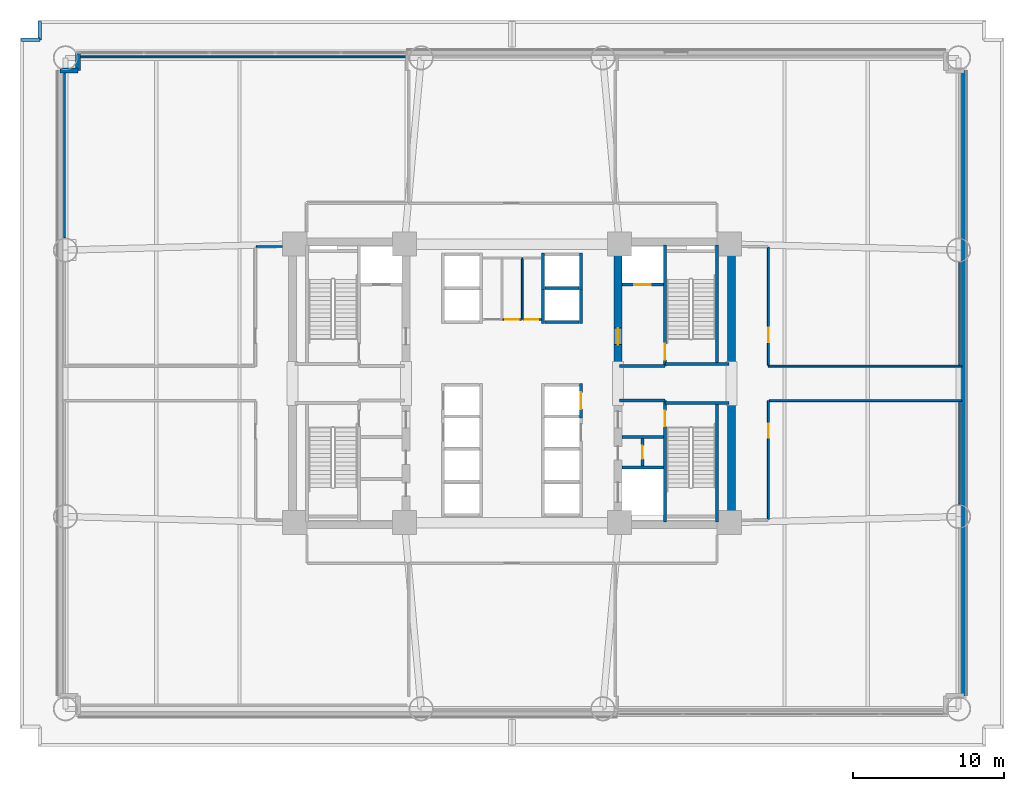
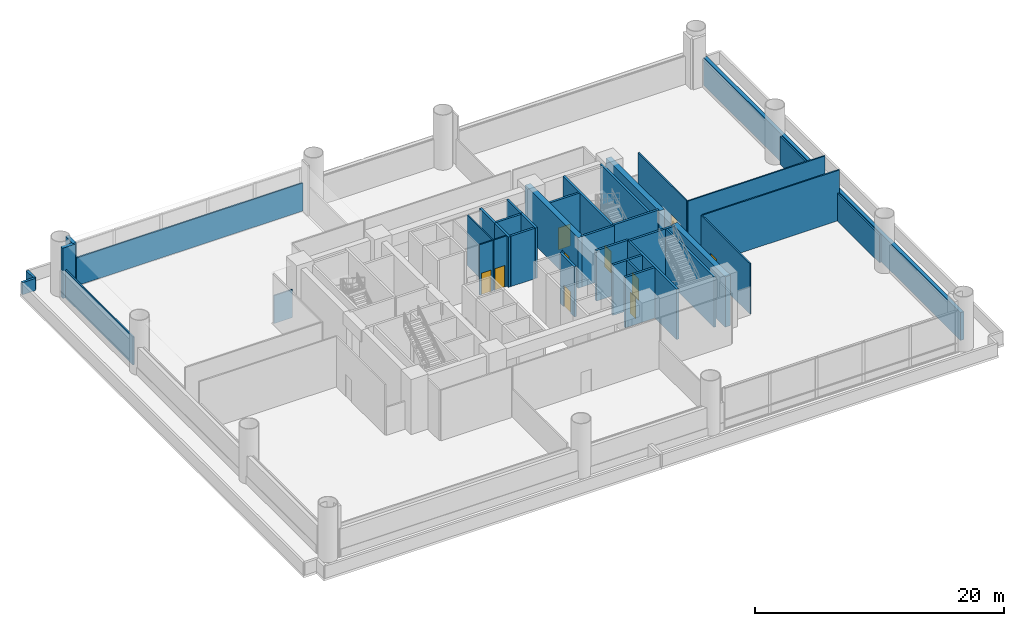
# One storey, part 7 of 12: 39 walls, 10 doors, 10 openings.
"""IFC4 building model written with IfcOpenShell, lengths in metres."""

from ifc_helpers import new_model, si_unit, direction, frame, frame_2d, origin, place, context, subcontext, project, spatial, rectangle, extrude, source, transform, mapped, material, layer, layer_set, type_object, element, fill, save


model = new_model("IFC4")

# Units and contexts
model_context = context("Model", 3, precision=1e-05, world=origin(), true_north=direction((0.0, 1.0)))
body_context = subcontext(model_context, "Body", "Model", "MODEL_VIEW")
ifc_project = project(units=[si_unit("LENGTHUNIT", "METRE"), si_unit("AREAUNIT", "SQUARE_METRE"), si_unit("VOLUMEUNIT", "CUBIC_METRE"), si_unit("PLANEANGLEUNIT", "RADIAN"), si_unit("MASSUNIT", "GRAM", prefix="KILO")], contexts=[model_context])

# Site, building, storey
site_placement = place(None, origin())
site = spatial("IfcSite", under=ifc_project, at=site_placement, CompositionType="ELEMENT")
building_placement = place(site_placement, origin())
building = spatial("IfcBuilding", under=site, at=building_placement, Name="Zahravan Cultural Tower", CompositionType="ELEMENT")
storey_placement = place(building_placement, frame((0.0, 0.0, 18.0)))
storey = spatial("IfcBuildingStorey", under=building, at=storey_placement, Name="L03", CompositionType="ELEMENT", Elevation=18.0)

# Wall, opening, door
ifc_material_1 = material(Name="Concrete C60/75", Category="concrete")
ifc_layer_1 = layer(ifc_material_1, 0.5)
ifc_layer_set_1 = layer_set([ifc_layer_1], Name="Concrete C60/75")
wall_type_1 = type_object("IfcWallType", Name="CW-SHEAR-500-C60", PredefinedType="SHEAR", material=ifc_layer_set_1)
wall_1_placement = place(storey_placement, frame((43.0, 28.050048828125, 0.0), z_axis=(0.0, 0.0, 1.0), x_axis=(0.0, 1.0, 0.0)))
wall_1 = element("IfcWall", 1, at=wall_1_placement, inside=storey, type_object=wall_type_1, Name="L03 Core Shear Wall CW-E-WN-L03", PredefinedType="SHEAR", context=body_context, shape_type="SweptSolid", body=[
    extrude(rectangle(XDim=8.550048828125, YDim=0.5, at=frame_2d((4.27490234375, 0.0))), origin(), (0.0, 0.0, 1.0), 4.949951171875),
])
opening_1_placement = place(wall_1_placement, frame((1.5, 0.0, 0.0)))
opening_1 = element("IfcOpeningElement", 2, at=opening_1_placement, cuts=wall_1, Name="Opening D-L03-06", PredefinedType="OPENING", context=body_context, shape_type="SweptSolid", body=[
    extrude(rectangle(XDim=1.10009765625, YDim=2.199951171875, at=frame_2d((0.550048828125, 1.10009765625))), frame((0.0, 0.260009765625, 0.0), z_axis=(0.0, -1.0, 0.0), x_axis=(1.0, 0.0, 0.0)), (0.0, 0.0, 1.0), 0.52001953125),
])
ifc_material_2 = material(Name="Steel ASTM A572 Grade 50", Category="steel")
door_type_1 = type_object("IfcDoorType", Name="DR-LOBBY-1100", OperationType="NOTDEFINED", PredefinedType="DOOR", material=ifc_material_2)
shared_shape_1 = source(origin(), body_context, "Body", "SweptSolid", [
    extrude(rectangle(XDim=1.10009765625, YDim=2.199951171875, at=frame_2d((0.550048828125, 1.10009765625))), frame((0.0, 0.02490234375, 0.0), z_axis=(0.0, -1.0, 0.0), x_axis=(1.0, 0.0, 0.0)), (0.0, 0.0, 1.0), 0.050048828125),
])
door_1_placement = place(opening_1_placement, origin())
door_1 = element("IfcDoor", 3, at=door_1_placement, inside=storey, type_object=door_type_1, Name="L03 Door D-L03-06", OperationType="SINGLE_SWING_RIGHT", OverallHeight=2.199951171875, OverallWidth=1.10009765625, PredefinedType="DOOR", context=body_context, shape_type="MappedRepresentation", body=[
    mapped(shared_shape_1, transform((0.0, 0.0, 0.0), x_axis=(1.0, 0.0, 0.0), y_axis=(0.0, 1.0, 0.0), z_axis=(0.0, 0.0, 1.0), scale=1.0)),
])
fill(opening_1, door_1)

ifc_material_3 = material(Name="Gypsum plasterboard partition")
ifc_layer_2 = layer(ifc_material_3, 0.179931640625)
ifc_layer_set_2 = layer_set([ifc_layer_2], Name="Gypsum plasterboard partition")
wall_type_2 = type_object("IfcWallType", Name="W-COMP-180", PredefinedType="PARTITIONING", material=ifc_layer_set_2)
wall_2_placement = place(storey_placement, frame((44.6201171875, 21.550048828125, 0.0), z_axis=(0.0, 0.0, 1.0), x_axis=(0.0, 1.0, 0.0)))
wall_2 = element("IfcWall", 4, at=wall_2_placement, inside=storey, type_object=wall_type_2, Name="L03 Interior Wall 027", PredefinedType="PARTITIONING", context=body_context, shape_type="SweptSolid", body=[
    extrude(rectangle(XDim=1.800048828125, YDim=0.179931640625, at=frame_2d((0.89990234375, 0.0))), origin(), (0.0, 0.0, 1.0), 4.949951171875),
])
opening_2_placement = place(wall_2_placement, frame((0.4599609375, 0.0, 0.0)))
opening_2 = element("IfcOpeningElement", 5, at=opening_2_placement, cuts=wall_2, Name="Opening D-L03-12", PredefinedType="OPENING", context=body_context, shape_type="SweptSolid", body=[
    extrude(rectangle(XDim=0.8798828125, YDim=2.10009765625, at=frame_2d((0.43994140625, 1.050048828125))), frame((0.0, 0.099853515625, 0.0), z_axis=(0.0, -1.0, 0.0), x_axis=(1.0, 0.0, 0.0)), (0.0, 0.0, 1.0), 0.199951171875),
])
door_type_2 = type_object("IfcDoorType", Name="DR-SVC-880", OperationType="NOTDEFINED", PredefinedType="DOOR", material=ifc_material_2)
shared_shape_2 = source(origin(), body_context, "Body", "SweptSolid", [
    extrude(rectangle(XDim=0.8798828125, YDim=2.10009765625, at=frame_2d((0.43994140625, 1.050048828125))), frame((0.0, 0.02490234375, 0.0), z_axis=(0.0, -1.0, 0.0), x_axis=(1.0, 0.0, 0.0)), (0.0, 0.0, 1.0), 0.050048828125),
])
door_2_placement = place(opening_2_placement, origin())
door_2 = element("IfcDoor", 6, at=door_2_placement, inside=storey, type_object=door_type_2, Name="L03 Door D-L03-12", OperationType="SINGLE_SWING_RIGHT", OverallHeight=2.10009765625, OverallWidth=0.8798828125, PredefinedType="DOOR", context=body_context, shape_type="MappedRepresentation", body=[
    mapped(shared_shape_2, transform((0.0, 0.0, 0.0), x_axis=(1.0, 0.0, 0.0), y_axis=(0.0, 1.0, 0.0), z_axis=(0.0, 0.0, 1.0), scale=1.0)),
])
fill(opening_2, door_2)

ifc_layer_3 = layer(ifc_material_3, 0.125)
ifc_layer_set_3 = layer_set([ifc_layer_3], Name="Gypsum plasterboard partition")
wall_type_3 = type_object("IfcWallType", Name="W-PART-125", PredefinedType="PARTITIONING", material=ifc_layer_set_3)
wall_3_placement = place(storey_placement, frame((52.93994140625, 18.00732421875, 0.0), z_axis=(0.0, 0.0, 1.0), x_axis=(0.0, 1.0, 0.0)))
wall_3 = element("IfcWall", 7, at=wall_3_placement, inside=storey, type_object=wall_type_3, Name="L03 Interior Wall 106", PredefinedType="PARTITIONING", context=body_context, shape_type="SweptSolid", body=[
    extrude(rectangle(XDim=7.852783203125, YDim=0.125, at=frame_2d((3.92626953125, 0.0))), origin(), (0.0, 0.0, 1.0), 4.949951171875),
])
opening_3_placement = place(wall_3_placement, frame((5.384033203125, 0.0, 0.0)))
opening_3 = element("IfcOpeningElement", 8, at=opening_3_placement, cuts=wall_3, Name="Opening D-L03-18", PredefinedType="OPENING", context=body_context, shape_type="SweptSolid", body=[
    extrude(rectangle(XDim=0.949951171875, YDim=2.14990234375, at=frame_2d((0.47509765625, 1.074951171875))), frame((0.0, 0.072509765625, 0.0), z_axis=(0.0, -1.0, 0.0), x_axis=(1.0, 0.0, 0.0)), (0.0, 0.0, 1.0), 0.14501953125),
])
ifc_material_4 = material(Name="Anodised bronze-aluminium mullion", Category="aluminium")
door_type_3 = type_object("IfcDoorType", Name="DR-ROOM-950", OperationType="NOTDEFINED", PredefinedType="DOOR", material=ifc_material_4)
shared_shape_3 = source(origin(), body_context, "Body", "SweptSolid", [
    extrude(rectangle(XDim=0.949951171875, YDim=2.14990234375, at=frame_2d((0.47509765625, 1.074951171875))), frame((0.0, 0.02490234375, 0.0), z_axis=(0.0, -1.0, 0.0), x_axis=(1.0, 0.0, 0.0)), (0.0, 0.0, 1.0), 0.050048828125),
])
door_3_placement = place(opening_3_placement, origin())
door_3 = element("IfcDoor", 9, at=door_3_placement, inside=storey, type_object=door_type_3, Name="L03 Door D-L03-18", OperationType="SINGLE_SWING_RIGHT", OverallHeight=2.14990234375, OverallWidth=0.949951171875, PredefinedType="DOOR", context=body_context, shape_type="MappedRepresentation", body=[
    mapped(shared_shape_3, transform((0.0, 0.0, 0.0), x_axis=(1.0, 0.0, 0.0), y_axis=(0.0, 1.0, 0.0), z_axis=(0.0, 0.0, 1.0), scale=1.0)),
])
fill(opening_3, door_3)

wall_4_placement = place(storey_placement, frame((52.93994140625, 28.20751953125, 0.0), z_axis=(0.0, 0.0, 1.0), x_axis=(0.0, 1.0, 0.0)))
wall_4 = element("IfcWall", 10, at=wall_4_placement, inside=storey, type_object=wall_type_3, Name="L03 Interior Wall 111", PredefinedType="PARTITIONING", context=body_context, shape_type="SweptSolid", body=[
    extrude(rectangle(XDim=7.78515625, YDim=0.125, at=frame_2d((3.892578125, 0.0))), origin(), (0.0, 0.0, 1.0), 4.949951171875),
])
opening_4_placement = place(wall_4_placement, frame((1.503662109375, 0.0, 0.0)))
opening_4 = element("IfcOpeningElement", 11, at=opening_4_placement, cuts=wall_4, Name="Opening D-L03-19", PredefinedType="OPENING", context=body_context, shape_type="SweptSolid", body=[
    extrude(rectangle(XDim=0.949951171875, YDim=2.14990234375, at=frame_2d((0.47509765625, 1.074951171875))), frame((0.0, 0.072509765625, 0.0), z_axis=(0.0, -1.0, 0.0), x_axis=(1.0, 0.0, 0.0)), (0.0, 0.0, 1.0), 0.14501953125),
])
door_4_placement = place(opening_4_placement, origin())
door_4 = element("IfcDoor", 12, at=door_4_placement, inside=storey, type_object=door_type_3, Name="L03 Door D-L03-19", OperationType="SINGLE_SWING_LEFT", OverallHeight=2.14990234375, OverallWidth=0.949951171875, PredefinedType="DOOR", context=body_context, shape_type="MappedRepresentation", body=[
    mapped(shared_shape_3, transform((0.0, 0.0, 0.0), x_axis=(1.0, 0.0, 0.0), y_axis=(0.0, 1.0, 0.0), z_axis=(0.0, 0.0, 1.0), scale=1.0)),
])
fill(opening_4, door_4)

ifc_material_5 = material(Name="Concrete C45/55", Category="concrete")
ifc_layer_4 = layer(ifc_material_5, 0.199951171875)
ifc_layer_set_4 = layer_set([ifc_layer_4], Name="Concrete C45/55")
wall_type_4 = type_object("IfcWallType", Name="W-SHAFT-200", PredefinedType="SOLIDWALL", material=ifc_layer_set_4)
wall_5_placement = place(storey_placement, frame((46.10009765625, 17.85009765625, 0.0), z_axis=(0.0, 0.0, 1.0), x_axis=(0.0, 1.0, 0.0)))
wall_5 = element("IfcWall", 13, at=wall_5_placement, inside=storey, type_object=wall_type_4, Name="L03 Interior Wall 007", PredefinedType="SOLIDWALL", context=body_context, shape_type="SweptSolid", body=[
    extrude(rectangle(XDim=8.0, YDim=0.199951171875, at=frame_2d((4.0, 0.0))), origin(), (0.0, 0.0, 1.0), 4.949951171875),
])
opening_5_placement = place(wall_5_placement, frame((6.300048828125, 0.0, 0.0)))
opening_5 = element("IfcOpeningElement", 14, at=opening_5_placement, cuts=wall_5, Name="Opening D-L03-03", PredefinedType="OPENING", context=body_context, shape_type="SweptSolid", body=[
    extrude(rectangle(XDim=1.050048828125, YDim=2.14990234375, at=frame_2d((0.52490234375, 1.074951171875))), frame((0.0, 0.10986328125, 0.0), z_axis=(0.0, -1.0, 0.0), x_axis=(1.0, 0.0, 0.0)), (0.0, 0.0, 1.0), 0.219970703125),
])
door_type_4 = type_object("IfcDoorType", Name="DR-STAIR-1050", OperationType="NOTDEFINED", PredefinedType="DOOR", material=ifc_material_2)
shared_shape_4 = source(origin(), body_context, "Body", "SweptSolid", [
    extrude(rectangle(XDim=1.050048828125, YDim=2.14990234375, at=frame_2d((0.52490234375, 1.074951171875))), frame((0.0, 0.02490234375, 0.0), z_axis=(0.0, -1.0, 0.0), x_axis=(1.0, 0.0, 0.0)), (0.0, 0.0, 1.0), 0.050048828125),
])
door_5_placement = place(opening_5_placement, origin())
door_5 = element("IfcDoor", 15, at=door_5_placement, inside=storey, type_object=door_type_4, Name="L03 Door D-L03-03", OperationType="SINGLE_SWING_LEFT", OverallHeight=2.14990234375, OverallWidth=1.050048828125, PredefinedType="DOOR", context=body_context, shape_type="MappedRepresentation", body=[
    mapped(shared_shape_4, transform((0.0, 0.0, 0.0), x_axis=(1.0, 0.0, 0.0), y_axis=(0.0, 1.0, 0.0), z_axis=(0.0, 0.0, 1.0), scale=1.0)),
])
fill(opening_5, door_5)

wall_6_placement = place(storey_placement, frame((46.10009765625, 28.14990234375, 0.0), z_axis=(0.0, 0.0, 1.0), x_axis=(0.0, 1.0, 0.0)))
wall_6 = element("IfcWall", 16, at=wall_6_placement, inside=storey, type_object=wall_type_4, Name="L03 Interior Wall 008", PredefinedType="SOLIDWALL", context=body_context, shape_type="SweptSolid", body=[
    extrude(rectangle(XDim=8.0, YDim=0.199951171875, at=frame_2d((4.0, 0.0))), origin(), (0.0, 0.0, 1.0), 4.949951171875),
])
opening_6_placement = place(wall_6_placement, frame((0.39990234375, 0.0, 0.0)))
opening_6 = element("IfcOpeningElement", 17, at=opening_6_placement, cuts=wall_6, Name="Opening D-L03-02", PredefinedType="OPENING", context=body_context, shape_type="SweptSolid", body=[
    extrude(rectangle(XDim=1.050048828125, YDim=2.14990234375, at=frame_2d((0.52490234375, 1.074951171875))), frame((0.0, 0.10986328125, 0.0), z_axis=(0.0, -1.0, 0.0), x_axis=(1.0, 0.0, 0.0)), (0.0, 0.0, 1.0), 0.219970703125),
])
door_6_placement = place(opening_6_placement, origin())
door_6 = element("IfcDoor", 18, at=door_6_placement, inside=storey, type_object=door_type_4, Name="L03 Door D-L03-02", OperationType="SINGLE_SWING_RIGHT", OverallHeight=2.14990234375, OverallWidth=1.050048828125, PredefinedType="DOOR", context=body_context, shape_type="MappedRepresentation", body=[
    mapped(shared_shape_4, transform((0.0, 0.0, 0.0), x_axis=(1.0, 0.0, 0.0), y_axis=(0.0, 1.0, 0.0), z_axis=(0.0, 0.0, 1.0), scale=1.0)),
])
fill(opening_6, door_6)

wall_7_placement = place(storey_placement, frame((43.25, 33.52001953125, 0.0), z_axis=(0.0, 0.0, 1.0), x_axis=(1.0, 0.0, 0.0)))
wall_7 = element("IfcWall", 19, at=wall_7_placement, inside=storey, type_object=wall_type_4, Name="L03 Interior Wall 022", PredefinedType="SOLIDWALL", context=body_context, shape_type="SweptSolid", body=[
    extrude(rectangle(XDim=2.75, YDim=0.199951171875, at=frame_2d((1.375, 0.0))), origin(), (0.0, 0.0, 1.0), 4.949951171875),
])
opening_7_placement = place(wall_7_placement, frame((0.820068359375, 0.0, 0.0)))
opening_7 = element("IfcOpeningElement", 20, at=opening_7_placement, cuts=wall_7, Name="Opening LD-L03-02", PredefinedType="OPENING", context=body_context, shape_type="SweptSolid", body=[
    extrude(rectangle(XDim=1.10009765625, YDim=2.14990234375, at=frame_2d((0.550048828125, 1.074951171875))), frame((0.0, 0.10986328125, 0.0), z_axis=(0.0, -1.0, 0.0), x_axis=(1.0, 0.0, 0.0)), (0.0, 0.0, 1.0), 0.219970703125),
])
door_type_5 = type_object("IfcDoorType", Name="DR-LIFT-1100", OperationType="DOUBLE_DOOR_SLIDING", PredefinedType="DOOR", material=ifc_material_2)
shared_shape_5 = source(origin(), body_context, "Body", "SweptSolid", [
    extrude(rectangle(XDim=1.10009765625, YDim=2.14990234375, at=frame_2d((0.550048828125, 1.074951171875))), frame((0.0, 0.02490234375, 0.0), z_axis=(0.0, -1.0, 0.0), x_axis=(1.0, 0.0, 0.0)), (0.0, 0.0, 1.0), 0.050048828125),
])
door_7_placement = place(opening_7_placement, origin())
door_7 = element("IfcDoor", 21, at=door_7_placement, inside=storey, type_object=door_type_5, Name="L03 Door LD-L03-02", OperationType="DOUBLE_DOOR_SLIDING", OverallHeight=2.14990234375, OverallWidth=1.10009765625, PredefinedType="DOOR", context=body_context, shape_type="MappedRepresentation", body=[
    mapped(shared_shape_5, transform((0.0, 0.0, 0.0), x_axis=(1.0, 0.0, 0.0), y_axis=(0.0, 1.0, 0.0), z_axis=(0.0, 0.0, 1.0), scale=1.0)),
])
fill(opening_7, door_7)

wall_8_placement = place(storey_placement, frame((40.550048828125, 24.699951171875, 0.0), z_axis=(0.0, 0.0, 1.0), x_axis=(0.0, 1.0, 0.0)))
wall_8 = element("IfcWall", 22, at=wall_8_placement, inside=storey, type_object=wall_type_4, Name="L03 Interior Wall 063", PredefinedType="SOLIDWALL", context=body_context, shape_type="SweptSolid", body=[
    extrude(rectangle(XDim=2.300048828125, YDim=0.199951171875, at=frame_2d((1.14990234375, 0.0))), origin(), (0.0, 0.0, 1.0), 4.949951171875),
])
opening_8_placement = place(wall_8_placement, frame((0.60009765625, 0.0, 0.0)))
opening_8 = element("IfcOpeningElement", 23, at=opening_8_placement, cuts=wall_8, Name="Opening LD-L03-06", PredefinedType="OPENING", context=body_context, shape_type="SweptSolid", body=[
    extrude(rectangle(XDim=1.10009765625, YDim=2.14990234375, at=frame_2d((0.550048828125, 1.074951171875))), frame((0.0, 0.10986328125, 0.0), z_axis=(0.0, -1.0, 0.0), x_axis=(1.0, 0.0, 0.0)), (0.0, 0.0, 1.0), 0.219970703125),
])
door_8_placement = place(opening_8_placement, origin())
door_8 = element("IfcDoor", 24, at=door_8_placement, inside=storey, type_object=door_type_5, Name="L03 Door LD-L03-06", OperationType="DOUBLE_DOOR_SLIDING", OverallHeight=2.14990234375, OverallWidth=1.10009765625, PredefinedType="DOOR", context=body_context, shape_type="MappedRepresentation", body=[
    mapped(shared_shape_5, transform((0.0, 0.0, 0.0), x_axis=(1.0, 0.0, 0.0), y_axis=(0.0, 1.0, 0.0), z_axis=(0.0, 0.0, 1.0), scale=1.0)),
])
fill(opening_8, door_8)

ifc_layer_5 = layer(ifc_material_3, 0.114990234375)
ifc_layer_set_5 = layer_set([ifc_layer_5], Name="Gypsum plasterboard partition")
wall_type_5 = type_object("IfcWallType", Name="W-WC-115", PredefinedType="PARTITIONING", material=ifc_layer_set_5)
wall_9_placement = place(storey_placement, frame((37.945068359375, 31.219970703125, 0.0), z_axis=(0.0, 0.0, 1.0), x_axis=(-1.0, 0.0, 0.0)))
wall_9 = element("IfcWall", 25, at=wall_9_placement, inside=storey, type_object=wall_type_5, Name="L03 Interior Wall 070", PredefinedType="PARTITIONING", context=body_context, shape_type="SweptSolid", body=[
    extrude(rectangle(XDim=1.20263671875, YDim=0.114990234375, at=frame_2d((0.601318359375, 0.0))), origin(), (0.0, 0.0, 1.0), 4.949951171875),
])
opening_9_placement = place(wall_9_placement, frame((0.19970703125, 0.0, 0.0)))
opening_9 = element("IfcOpeningElement", 26, at=opening_9_placement, cuts=wall_9, Name="Opening D-L03-15", PredefinedType="OPENING", context=body_context, shape_type="SweptSolid", body=[
    extrude(rectangle(XDim=0.89990234375, YDim=2.10009765625, at=frame_2d((0.449951171875, 1.050048828125))), frame((0.0, 0.0673828125, 0.0), z_axis=(0.0, -1.0, 0.0), x_axis=(1.0, 0.0, 0.0)), (0.0, 0.0, 1.0), 0.135009765625),
])
door_type_6 = type_object("IfcDoorType", Name="DR-WC-900", OperationType="NOTDEFINED", PredefinedType="DOOR", material=ifc_material_4)
shared_shape_6 = source(origin(), body_context, "Body", "SweptSolid", [
    extrude(rectangle(XDim=0.89990234375, YDim=2.10009765625, at=frame_2d((0.449951171875, 1.050048828125))), frame((0.0, 0.02490234375, 0.0), z_axis=(0.0, -1.0, 0.0), x_axis=(1.0, 0.0, 0.0)), (0.0, 0.0, 1.0), 0.050048828125),
])
door_9_placement = place(opening_9_placement, origin())
door_9 = element("IfcDoor", 27, at=door_9_placement, inside=storey, type_object=door_type_6, Name="L03 Door D-L03-15", OperationType="SINGLE_SWING_LEFT", OverallHeight=2.10009765625, OverallWidth=0.89990234375, PredefinedType="DOOR", context=body_context, shape_type="MappedRepresentation", body=[
    mapped(shared_shape_6, transform((0.0, 0.0, 0.0), x_axis=(1.0, 0.0, 0.0), y_axis=(0.0, 1.0, 0.0), z_axis=(0.0, 0.0, 1.0), scale=1.0)),
])
fill(opening_9, door_9)

wall_10_placement = place(storey_placement, frame((36.617431640625, 31.219970703125, 0.0), z_axis=(0.0, 0.0, 1.0), x_axis=(-1.0, 0.0, 0.0)))
wall_10 = element("IfcWall", 28, at=wall_10_placement, inside=storey, type_object=wall_type_5, Name="L03 Interior Wall 075", PredefinedType="PARTITIONING", context=body_context, shape_type="SweptSolid", body=[
    extrude(rectangle(XDim=1.21484375, YDim=0.114990234375, at=frame_2d((0.607421875, 0.0))), origin(), (0.0, 0.0, 1.0), 4.949951171875),
])
opening_10_placement = place(wall_10_placement, frame((0.157470703125, 0.0, 0.0)))
opening_10 = element("IfcOpeningElement", 29, at=opening_10_placement, cuts=wall_10, Name="Opening D-L03-14", PredefinedType="OPENING", context=body_context, shape_type="SweptSolid", body=[
    extrude(rectangle(XDim=0.89990234375, YDim=2.10009765625, at=frame_2d((0.449951171875, 1.050048828125))), frame((0.0, 0.0673828125, 0.0), z_axis=(0.0, -1.0, 0.0), x_axis=(1.0, 0.0, 0.0)), (0.0, 0.0, 1.0), 0.135009765625),
])
door_10_placement = place(opening_10_placement, origin())
door_10 = element("IfcDoor", 30, at=door_10_placement, inside=storey, type_object=door_type_6, Name="L03 Door D-L03-14", OperationType="SINGLE_SWING_RIGHT", OverallHeight=2.10009765625, OverallWidth=0.89990234375, PredefinedType="DOOR", context=body_context, shape_type="MappedRepresentation", body=[
    mapped(shared_shape_6, transform((0.0, 0.0, 0.0), x_axis=(1.0, 0.0, 0.0), y_axis=(0.0, 1.0, 0.0), z_axis=(0.0, 0.0, 1.0), scale=1.0)),
])
fill(opening_10, door_10)

# Walls
shared_shape_7 = source(origin(), body_context, "Body", "SweptSolid", [
    extrude(rectangle(XDim=8.550048828125, YDim=0.5, at=frame_2d((4.27490234375, 0.0))), origin(), (0.0, 0.0, 1.0), 4.949951171875),
])
for number, where, z_axis, x_axis, name in (
    (31, (50.5, 17.39990234375, 0.0), (0.0, 0.0, 1.0), (0.0, 1.0, 0.0), "L03 Core Shear Wall CW-E-ES-L03"),
    (32, (50.5, 28.050048828125, 0.0), (0.0, 0.0, 1.0), (0.0, 1.0, 0.0), "L03 Core Shear Wall CW-E-EN-L03"),
):
    element("IfcWall", number, at=place(storey_placement, frame(where, z_axis=z_axis, x_axis=x_axis)), inside=storey, type_object=wall_type_1, Name=name, PredefinedType="SHEAR", context=body_context, shape_type="MappedRepresentation", body=[
        mapped(shared_shape_7, transform((0.0, 0.0, 0.0), x_axis=(1.0, 0.0, 0.0), y_axis=(0.0, 1.0, 0.0), z_axis=(0.0, 0.0, 1.0), scale=1.0)),
    ])
ifc_material_6 = material(Name="Precast concrete C40/50", Category="concrete")
ifc_layer_6 = layer(ifc_material_6, 0.219970703125)
ifc_layer_set_6 = layer_set([ifc_layer_6], Name="Precast concrete C40/50")
wall_type_6 = type_object("IfcWallType", Name="EW-PARAPET-220", PredefinedType="PARAPET", material=ifc_layer_set_6)
shared_shape_8 = source(origin(), body_context, "Body", "SweptSolid", [
    extrude(rectangle(XDim=1.199951171875, YDim=0.219970703125, at=frame_2d((0.60009765625, 0.0))), origin(), (0.0, 0.0, 1.0), 1.199951171875),
])
for number, where, z_axis, x_axis, name in (
    (33, (3.610107421875, 49.68994140625, 0.0), (0.0, 0.0, 1.0), (1.0, 0.0, 0.0), "L03 Setback Roof Parapet 5"),
    (34, (4.81005859375, 49.68994140625, 0.0), (0.0, 0.0, 1.0), (0.0, 1.0, 0.0), "L03 Setback Roof Parapet 6"),
):
    element("IfcWall", number, at=place(storey_placement, frame(where, z_axis=z_axis, x_axis=x_axis)), inside=storey, type_object=wall_type_6, Name=name, PredefinedType="PARAPET", context=body_context, shape_type="MappedRepresentation", body=[
        mapped(shared_shape_8, transform((0.0, 0.0, 0.0), x_axis=(1.0, 0.0, 0.0), y_axis=(0.0, 1.0, 0.0), z_axis=(0.0, 0.0, 1.0), scale=1.0)),
    ])
ifc_layer_7 = layer(ifc_material_6, 0.320068359375)
ifc_layer_set_7 = layer_set([ifc_layer_7], Name="Precast concrete C40/50")
wall_type_7 = type_object("IfcWallType", Name="EW-TC-320", PredefinedType="SOLIDWALL", material=ifc_layer_set_7)
shared_shape_9 = source(origin(), body_context, "Body", "SweptSolid", [
    extrude(rectangle(XDim=41.31982421875, YDim=0.320068359375, at=frame_2d((20.659912109375, 0.0))), origin(), (0.0, 0.0, 1.0), 2.741943359375),
])
wall_11_placement = place(storey_placement, frame((65.860107421875, 47.659912109375, 0.0), z_axis=(0.0, 0.0, 1.0), x_axis=(0.0, -1.0, 0.0)))
element("IfcWall", 35, at=wall_11_placement, inside=storey, type_object=wall_type_7, Name="L03 Exterior Masonry Frame Wall 01", PredefinedType="SOLIDWALL", context=body_context, shape_type="MappedRepresentation", body=[
    mapped(shared_shape_9, transform((0.0, 0.0, 0.0), x_axis=(1.0, 0.0, 0.0), y_axis=(0.0, 1.0, 0.0), z_axis=(0.0, 0.0, 1.0), scale=1.0)),
])
shared_shape_10 = source(origin(), body_context, "Body", "SweptSolid", [
    extrude(rectangle(XDim=1.2001953125, YDim=0.320068359375, at=frame_2d((0.60009765625, 0.0))), origin(), (0.0, 0.0, 1.0), 4.949951171875),
])
for number, where, z_axis, x_axis, name in (
    (36, (6.139892578125, 47.659912109375, 0.0), (0.0, 0.0, 1.0), (1.0, 0.0, 0.0), "L03 Exterior Masonry Frame Wall 08"),
    (37, (7.340087890625, 47.659912109375, 0.0), (0.0, 0.0, 1.0), (0.0, 1.0, 0.0), "L03 Exterior Masonry Frame Wall 09"),
):
    element("IfcWall", number, at=place(storey_placement, frame(where, z_axis=z_axis, x_axis=x_axis)), inside=storey, type_object=wall_type_7, Name=name, PredefinedType="SOLIDWALL", context=body_context, shape_type="MappedRepresentation", body=[
        mapped(shared_shape_10, transform((0.0, 0.0, 0.0), x_axis=(1.0, 0.0, 0.0), y_axis=(0.0, 1.0, 0.0), z_axis=(0.0, 0.0, 1.0), scale=1.0)),
    ])
shared_shape_11 = source(origin(), body_context, "Body", "SweptSolid", [
    extrude(rectangle(XDim=7.869873046875, YDim=0.199951171875, at=frame_2d((3.93505859375, 0.0))), origin(), (0.0, 0.0, 1.0), 4.949951171875),
])
for number, where, z_axis, x_axis, name in (
    (38, (49.550048828125, 17.85009765625, 0.0), (0.0, 0.0, 1.0), (0.0, 1.0, 0.0), "L03 Interior Wall 003"),
    (39, (49.550048828125, 28.280029296875, 0.0), (0.0, 0.0, 1.0), (0.0, 1.0, 0.0), "L03 Interior Wall 004"),
):
    element("IfcWall", number, at=place(storey_placement, frame(where, z_axis=z_axis, x_axis=x_axis)), inside=storey, type_object=wall_type_4, Name=name, PredefinedType="SOLIDWALL", context=body_context, shape_type="MappedRepresentation", body=[
        mapped(shared_shape_11, transform((0.0, 0.0, 0.0), x_axis=(1.0, 0.0, 0.0), y_axis=(0.0, 1.0, 0.0), z_axis=(0.0, 0.0, 1.0), scale=1.0)),
    ])
shared_shape_12 = source(origin(), body_context, "Body", "SweptSolid", [
    extrude(rectangle(XDim=4.25, YDim=0.199951171875, at=frame_2d((2.125, 0.0))), origin(), (0.0, 0.0, 1.0), 4.949951171875),
])
for number, where, z_axis, x_axis, name in (
    (40, (46.10009765625, 25.715087890625, 0.0), (0.0, 0.0, 1.0), (1.0, 0.0, 0.0), "L03 Interior Wall 014"),
    (41, (46.10009765625, 28.284912109375, 0.0), (0.0, 0.0, 1.0), (1.0, 0.0, 0.0), "L03 Interior Wall 016"),
):
    element("IfcWall", number, at=place(storey_placement, frame(where, z_axis=z_axis, x_axis=x_axis)), inside=storey, type_object=wall_type_4, Name=name, PredefinedType="SOLIDWALL", context=body_context, shape_type="MappedRepresentation", body=[
        mapped(shared_shape_12, transform((0.0, 0.0, 0.0), x_axis=(1.0, 0.0, 0.0), y_axis=(0.0, 1.0, 0.0), z_axis=(0.0, 0.0, 1.0), scale=1.0)),
    ])
shared_shape_13 = source(origin(), body_context, "Body", "SweptSolid", [
    extrude(rectangle(XDim=3.0, YDim=0.199951171875, at=frame_2d((1.5, 0.0))), origin(), (0.0, 0.0, 1.0), 4.949951171875),
])
for number, where, z_axis, x_axis, name in (
    (42, (43.10009765625, 25.85009765625, 0.0), (0.0, 0.0, 1.0), (1.0, 0.0, 0.0), "L03 Interior Wall 013"),
    (43, (43.10009765625, 28.14990234375, 0.0), (0.0, 0.0, 1.0), (1.0, 0.0, 0.0), "L03 Interior Wall 015"),
):
    element("IfcWall", number, at=place(storey_placement, frame(where, z_axis=z_axis, x_axis=x_axis)), inside=storey, type_object=wall_type_4, Name=name, PredefinedType="SOLIDWALL", context=body_context, shape_type="MappedRepresentation", body=[
        mapped(shared_shape_13, transform((0.0, 0.0, 0.0), x_axis=(1.0, 0.0, 0.0), y_axis=(0.0, 1.0, 0.0), z_axis=(0.0, 0.0, 1.0), scale=1.0)),
    ])
shared_shape_14 = source(origin(), body_context, "Body", "SweptSolid", [
    extrude(rectangle(XDim=2.75, YDim=0.199951171875, at=frame_2d((1.375, 0.0))), origin(), (0.0, 0.0, 1.0), 4.949951171875),
])
for number, where, z_axis, x_axis, name in (
    (44, (43.25, 23.449951171875, 0.0), (0.0, 0.0, 1.0), (1.0, 0.0, 0.0), "L03 Interior Wall 024"),
    (45, (43.25, 21.449951171875, 0.0), (0.0, 0.0, 1.0), (1.0, 0.0, 0.0), "L03 Interior Wall 025"),
):
    element("IfcWall", number, at=place(storey_placement, frame(where, z_axis=z_axis, x_axis=x_axis)), inside=storey, type_object=wall_type_4, Name=name, PredefinedType="SOLIDWALL", context=body_context, shape_type="MappedRepresentation", body=[
        mapped(shared_shape_14, transform((0.0, 0.0, 0.0), x_axis=(1.0, 0.0, 0.0), y_axis=(0.0, 1.0, 0.0), z_axis=(0.0, 0.0, 1.0), scale=1.0)),
    ])
shared_shape_15 = source(origin(), body_context, "Body", "SweptSolid", [
    extrude(rectangle(XDim=2.400146484375, YDim=0.199951171875, at=frame_2d((1.2001953125, 0.0))), origin(), (0.0, 0.0, 1.0), 4.949951171875),
])
for number, where, z_axis, x_axis, name in (
    (46, (38.050048828125, 33.199951171875, 0.0), (0.0, 0.0, 1.0), (0.0, 1.0, 0.0), "L03 Interior Wall 035"),
    (47, (40.550048828125, 33.199951171875, 0.0), (0.0, 0.0, 1.0), (0.0, 1.0, 0.0), "L03 Interior Wall 036"),
    (48, (38.050048828125, 30.949951171875, 0.0), (0.0, 0.0, 1.0), (0.0, 1.0, 0.0), "L03 Interior Wall 039"),
    (49, (40.550048828125, 30.949951171875, 0.0), (0.0, 0.0, 1.0), (0.0, 1.0, 0.0), "L03 Interior Wall 040"),
):
    element("IfcWall", number, at=place(storey_placement, frame(where, z_axis=z_axis, x_axis=x_axis)), inside=storey, type_object=wall_type_4, Name=name, PredefinedType="SOLIDWALL", context=body_context, shape_type="MappedRepresentation", body=[
        mapped(shared_shape_15, transform((0.0, 0.0, 0.0), x_axis=(1.0, 0.0, 0.0), y_axis=(0.0, 1.0, 0.0), z_axis=(0.0, 0.0, 1.0), scale=1.0)),
    ])
shared_shape_16 = source(origin(), body_context, "Body", "SweptSolid", [
    extrude(rectangle(XDim=2.260009765625, YDim=0.199951171875, at=frame_2d((1.1298828125, 0.0))), origin(), (0.0, 0.0, 1.0), 4.949951171875),
])
for number, where, z_axis, x_axis, name in (
    (50, (38.169921875, 33.300048828125, 0.0), (0.0, 0.0, 1.0), (1.0, 0.0, 0.0), "L03 Interior Wall 037"),
    (51, (38.169921875, 31.050048828125, 0.0), (0.0, 0.0, 1.0), (1.0, 0.0, 0.0), "L03 Interior Wall 041"),
):
    element("IfcWall", number, at=place(storey_placement, frame(where, z_axis=z_axis, x_axis=x_axis)), inside=storey, type_object=wall_type_4, Name=name, PredefinedType="SOLIDWALL", context=body_context, shape_type="MappedRepresentation", body=[
        mapped(shared_shape_16, transform((0.0, 0.0, 0.0), x_axis=(1.0, 0.0, 0.0), y_axis=(0.0, 1.0, 0.0), z_axis=(0.0, 0.0, 1.0), scale=1.0)),
    ])
shared_shape_17 = source(origin(), body_context, "Body", "SweptSolid", [
    extrude(rectangle(XDim=4.06005859375, YDim=0.114990234375, at=frame_2d((2.030029296875, 0.0))), origin(), (0.0, 0.0, 1.0), 4.949951171875),
])
wall_12_placement = place(storey_placement, frame((36.679931640625, 31.219970703125, 0.0), z_axis=(0.0, 0.0, 1.0), x_axis=(0.0, 1.0, 0.0)))
element("IfcWall", 52, at=wall_12_placement, inside=storey, type_object=wall_type_5, Name="L03 Interior Wall 068", PredefinedType="PARTITIONING", context=body_context, shape_type="MappedRepresentation", body=[
    mapped(shared_shape_17, transform((0.0, 0.0, 0.0), x_axis=(1.0, 0.0, 0.0), y_axis=(0.0, 1.0, 0.0), z_axis=(0.0, 0.0, 1.0), scale=1.0)),
])
shared_shape_18 = source(origin(), body_context, "Body", "SweptSolid", [
    extrude(rectangle(XDim=10.875, YDim=0.125, at=frame_2d((5.4375, 0.0))), origin(), (0.0, 0.0, 1.0), 2.741943359375),
])
wall_13_placement = place(storey_placement, frame((6.43994140625, 36.6201171875, 0.0), z_axis=(0.0, 0.0, 1.0), x_axis=(0.0, 1.0, 0.0)))
element("IfcWall", 53, at=wall_13_placement, inside=storey, type_object=wall_type_3, Name="L03 Interior Wall 099", PredefinedType="PARTITIONING", context=body_context, shape_type="MappedRepresentation", body=[
    mapped(shared_shape_18, transform((0.0, 0.0, 0.0), x_axis=(1.0, 0.0, 0.0), y_axis=(0.0, 1.0, 0.0), z_axis=(0.0, 0.0, 1.0), scale=1.0)),
])
shared_shape_19 = source(origin(), body_context, "Body", "SweptSolid", [
    extrude(rectangle(XDim=1.72412109375, YDim=0.125, at=frame_2d((0.862060546875, 0.0))), origin(), (0.0, 0.0, 1.0), 2.741943359375),
])
wall_14_placement = place(storey_placement, frame((20.830078125, 36.0400390625, 0.0), z_axis=(0.0, 0.0, 1.0), x_axis=(-1.0, 0.0, 0.0)))
element("IfcWall", 54, at=wall_14_placement, inside=storey, type_object=wall_type_3, Name="L03 Interior Wall 095", PredefinedType="PARTITIONING", context=body_context, shape_type="MappedRepresentation", body=[
    mapped(shared_shape_19, transform((0.0, 0.0, 0.0), x_axis=(1.0, 0.0, 0.0), y_axis=(0.0, 1.0, 0.0), z_axis=(0.0, 0.0, 1.0), scale=1.0)),
])
shared_shape_20 = source(origin(), body_context, "Body", "SweptSolid", [
    extrude(rectangle(XDim=12.6875, YDim=0.125, at=frame_2d((6.34375, 0.0))), origin(), (0.0, 0.0, 1.0), 4.949951171875),
])
wall_15_placement = place(storey_placement, frame((53.007568359375, 25.860107421875, 0.0), z_axis=(0.0, 0.0, 1.0), x_axis=(1.0, 0.0, 0.0)))
element("IfcWall", 55, at=wall_15_placement, inside=storey, type_object=wall_type_3, Name="L03 Interior Wall 107", PredefinedType="PARTITIONING", context=body_context, shape_type="MappedRepresentation", body=[
    mapped(shared_shape_20, transform((0.0, 0.0, 0.0), x_axis=(1.0, 0.0, 0.0), y_axis=(0.0, 1.0, 0.0), z_axis=(0.0, 0.0, 1.0), scale=1.0)),
])
shared_shape_21 = source(origin(), body_context, "Body", "SweptSolid", [
    extrude(rectangle(XDim=6.7724609375, YDim=0.125, at=frame_2d((3.38623046875, 0.0))), origin(), (0.0, 0.0, 1.0), 2.741943359375),
])
for number, where, z_axis, x_axis, name in (
    (56, (65.56005859375, 25.79248046875, 0.0), (0.0, 0.0, 1.0), (0.0, -1.0, 0.0), "L03 Interior Wall 108"),
    (57, (65.56005859375, 34.97998046875, 0.0), (0.0, 0.0, 1.0), (0.0, -1.0, 0.0), "L03 Interior Wall 118"),
):
    element("IfcWall", number, at=place(storey_placement, frame(where, z_axis=z_axis, x_axis=x_axis)), inside=storey, type_object=wall_type_3, Name=name, PredefinedType="PARTITIONING", context=body_context, shape_type="MappedRepresentation", body=[
        mapped(shared_shape_21, transform((0.0, 0.0, 0.0), x_axis=(1.0, 0.0, 0.0), y_axis=(0.0, 1.0, 0.0), z_axis=(0.0, 0.0, 1.0), scale=1.0)),
    ])
shared_shape_22 = source(origin(), body_context, "Body", "SweptSolid", [
    extrude(rectangle(XDim=21.487548828125, YDim=0.125, at=frame_2d((10.74365234375, 0.0))), origin(), (0.0, 0.0, 1.0), 2.741943359375),
])
wall_16_placement = place(storey_placement, frame((7.5048828125, 48.56005859375, 0.0), z_axis=(0.0, 0.0, 1.0), x_axis=(1.0, 0.0, 0.0)))
element("IfcWall", 58, at=wall_16_placement, inside=storey, type_object=wall_type_3, Name="L03 Interior Wall 100", PredefinedType="PARTITIONING", context=body_context, shape_type="MappedRepresentation", body=[
    mapped(shared_shape_22, transform((0.0, 0.0, 0.0), x_axis=(1.0, 0.0, 0.0), y_axis=(0.0, 1.0, 0.0), z_axis=(0.0, 0.0, 1.0), scale=1.0)),
])
shared_shape_23 = source(origin(), body_context, "Body", "SweptSolid", [
    extrude(rectangle(XDim=12.755126953125, YDim=0.125, at=frame_2d((6.37744140625, 0.0))), origin(), (0.0, 0.0, 1.0), 4.949951171875),
])
wall_17_placement = place(storey_placement, frame((65.695068359375, 28.139892578125, 0.0), z_axis=(0.0, 0.0, 1.0), x_axis=(-1.0, 0.0, 0.0)))
element("IfcWall", 59, at=wall_17_placement, inside=storey, type_object=wall_type_3, Name="L03 Interior Wall 110", PredefinedType="PARTITIONING", context=body_context, shape_type="MappedRepresentation", body=[
    mapped(shared_shape_23, transform((0.0, 0.0, 0.0), x_axis=(1.0, 0.0, 0.0), y_axis=(0.0, 1.0, 0.0), z_axis=(0.0, 0.0, 1.0), scale=1.0)),
])

save(model, "model.ifc")
